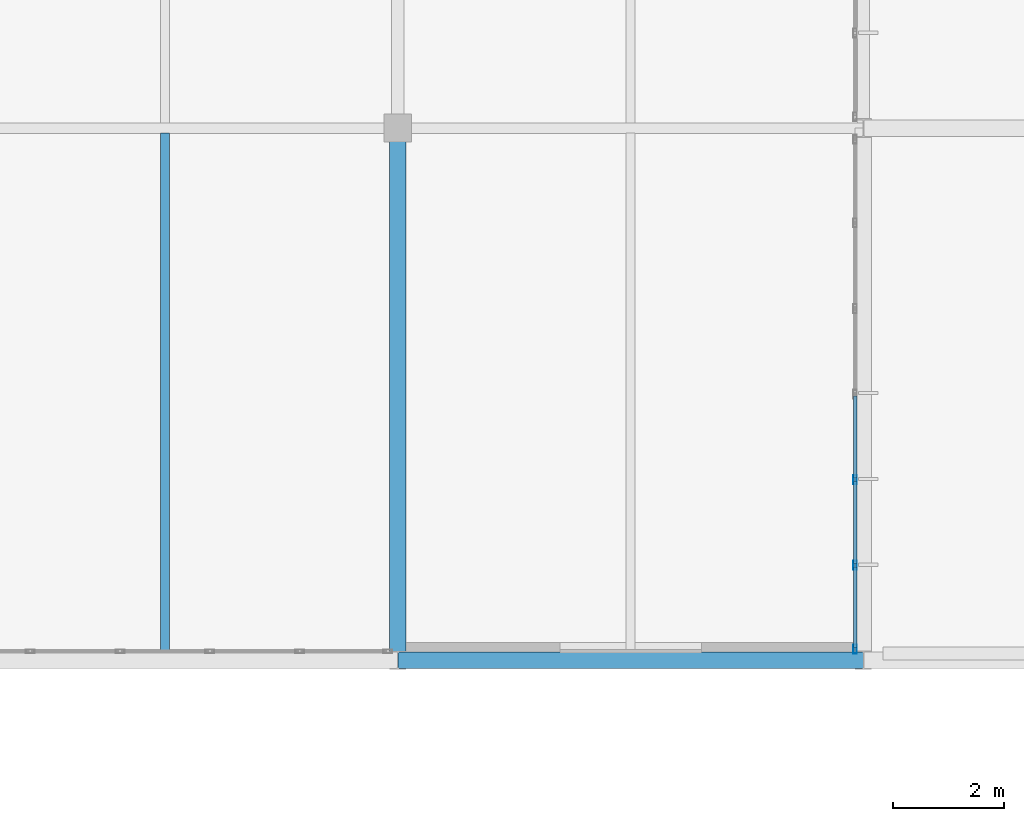
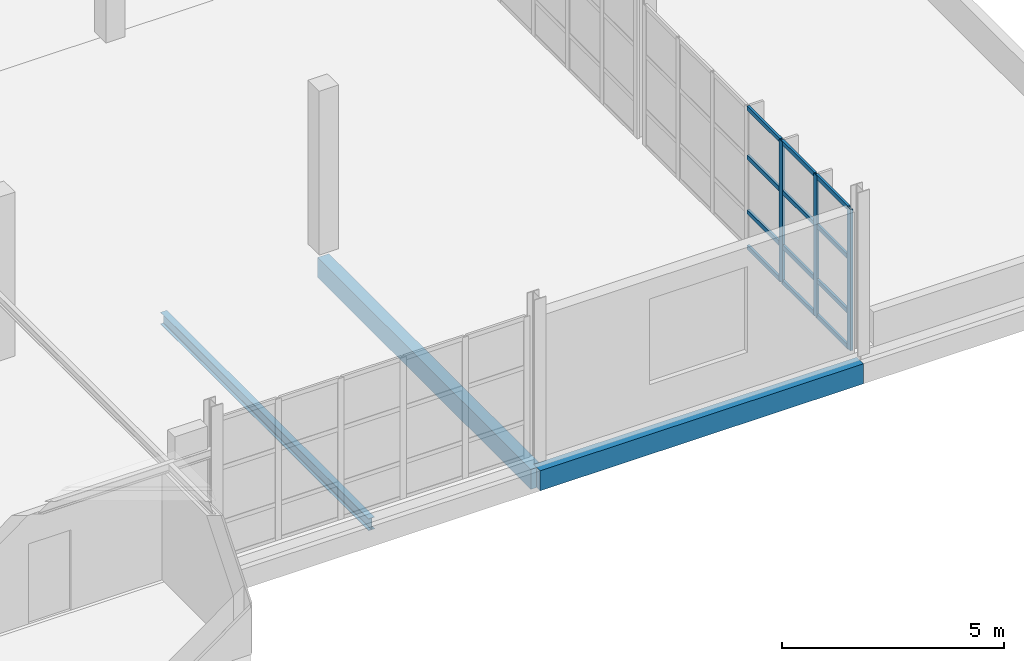
# One storey, part 70 of 103: 15 members, 3 beams, 1 element without a shape of its own.
"""IFC4 building model written with IfcOpenShell, lengths in metres."""

from ifc_helpers import new_model, si_unit, direction, frame, origin, origin_2d, place, context, subcontext, project, spatial, rectangle, hollow_rectangle, i_section, extrude, material, material_profile, profile_set, type_object, element, aggregate, save


model = new_model("IFC4")

# Units and contexts
model_context = context("Model", 3, precision=1e-05, world=origin(), true_north=direction((0.0, 1.0)))
body_context = subcontext(model_context, "Body", "Model", "MODEL_VIEW")
ifc_project = project(units=[si_unit("LENGTHUNIT", "METRE"), si_unit("AREAUNIT", "SQUARE_METRE"), si_unit("VOLUMEUNIT", "CUBIC_METRE"), si_unit("PLANEANGLEUNIT", "RADIAN"), si_unit("MASSUNIT", "GRAM", prefix="KILO")], contexts=[model_context])

# Site, building, storey
site_placement = place(None, origin())
site = spatial("IfcSite", under=ifc_project, at=site_placement, CompositionType="ELEMENT")
building_placement = place(site_placement, origin())
building = spatial("IfcBuilding", under=site, at=building_placement, Name="Veltarok Museum of Natural Sciences", CompositionType="ELEMENT")
storey_placement = place(building_placement, frame((0.0, 0.0, 21.89990234375)))
storey = spatial("IfcBuildingStorey", under=building, at=storey_placement, Name="L04", CompositionType="ELEMENT", Elevation=21.89990234375)

# Curtain wall, members
ifc_material_1 = material(Name="Low-iron triple insulated glass", Category="glass")
curtain_wall_type = type_object("IfcCurtainWallType", Name="Curtain Wall System CW-V5E-L04-A-926x388 (V5 East Lab L04 A-B 926x388cm)", PredefinedType="NOTDEFINED", material=ifc_material_1)
curtain_wall_placement = place(storey_placement, origin())
curtain_wall = element("IfcCurtainWall", 1, at=curtain_wall_placement, inside=storey, type_object=curtain_wall_type, Name="Curtain Wall CW-V5E-L04-A-926x388 CW-0120", PredefinedType="NOTDEFINED")
ifc_material_2 = material(Name="Thermally broken anodised aluminium", Category="aluminium")
ifc_material_profile_1 = material_profile(ifc_material_2, hollow_rectangle(XDim=0.06005859375, YDim=0.1201171875, WallThickness=0.0048828125, at=origin_2d()), Name="CW TRANSOM 60x120x5")
ifc_profile_set_1 = profile_set([ifc_material_profile_1], Name="Thermally broken anodised aluminium")
member_type_1 = type_object("IfcMemberType", Name="Curtain Wall Horizontal Transom 60x120x5", PredefinedType="USERDEFINED", material=ifc_profile_set_1)
member_1_placement = place(storey_placement, frame((149.050048828125, 0.22998046875, 0.030029296875), z_axis=(0.0, 1.0, 0.0), x_axis=(-1.0, 0.0, 0.0)))
member_1 = element("IfcMember", 2, at=member_1_placement, type_object=member_type_1, Name="CW-V5E-L04-A-926x388 transom 1.1", ObjectType="TRANSOM", PredefinedType="USERDEFINED", context=body_context, shape_type="SweptSolid", body=[
    extrude(hollow_rectangle(XDim=0.06005859375, YDim=0.1201171875, WallThickness=0.0048828125, at=origin_2d()), origin(), (0.0, 0.0, 1.0), 1.453369140625),
])
member_2_placement = place(storey_placement, frame((149.050048828125, 0.22998046875, 1.0), z_axis=(0.0, 1.0, 0.0), x_axis=(-1.0, 0.0, 0.0)))
member_2 = element("IfcMember", 3, at=member_2_placement, type_object=member_type_1, Name="CW-V5E-L04-A-926x388 transom 1.2", ObjectType="TRANSOM", PredefinedType="USERDEFINED", context=body_context, shape_type="SweptSolid", body=[
    extrude(hollow_rectangle(XDim=0.06005859375, YDim=0.1201171875, WallThickness=0.0048828125, at=origin_2d()), origin(), (0.0, 0.0, 1.0), 1.453369140625),
])
member_3_placement = place(storey_placement, frame((149.050048828125, 0.22998046875, 2.5), z_axis=(0.0, 1.0, 0.0), x_axis=(-1.0, 0.0, 0.0)))
member_3 = element("IfcMember", 4, at=member_3_placement, type_object=member_type_1, Name="CW-V5E-L04-A-926x388 transom 1.3", ObjectType="TRANSOM", PredefinedType="USERDEFINED", context=body_context, shape_type="SweptSolid", body=[
    extrude(hollow_rectangle(XDim=0.06005859375, YDim=0.1201171875, WallThickness=0.0048828125, at=origin_2d()), origin(), (0.0, 0.0, 1.0), 1.453369140625),
])
member_4_placement = place(storey_placement, frame((149.050048828125, 0.22998046875, 3.85009765625), z_axis=(0.0, 1.0, 0.0), x_axis=(-1.0, 0.0, 0.0)))
member_4 = element("IfcMember", 5, at=member_4_placement, type_object=member_type_1, Name="CW-V5E-L04-A-926x388 transom 1.4", ObjectType="TRANSOM", PredefinedType="USERDEFINED", context=body_context, shape_type="SweptSolid", body=[
    extrude(hollow_rectangle(XDim=0.06005859375, YDim=0.1201171875, WallThickness=0.0048828125, at=origin_2d()), origin(), (0.0, 0.0, 1.0), 1.453369140625),
])
member_5_placement = place(storey_placement, frame((149.050048828125, 1.743408203125, 0.030029296875), z_axis=(0.0, 1.0, 0.0), x_axis=(-1.0, 0.0, 0.0)))
member_5 = element("IfcMember", 6, at=member_5_placement, type_object=member_type_1, Name="CW-V5E-L04-A-926x388 transom 2.1", ObjectType="TRANSOM", PredefinedType="USERDEFINED", context=body_context, shape_type="SweptSolid", body=[
    extrude(hollow_rectangle(XDim=0.06005859375, YDim=0.1201171875, WallThickness=0.0048828125, at=origin_2d()), origin(), (0.0, 0.0, 1.0), 1.483154296875),
])
member_6_placement = place(storey_placement, frame((149.050048828125, 1.743408203125, 1.0), z_axis=(0.0, 1.0, 0.0), x_axis=(-1.0, 0.0, 0.0)))
member_6 = element("IfcMember", 7, at=member_6_placement, type_object=member_type_1, Name="CW-V5E-L04-A-926x388 transom 2.2", ObjectType="TRANSOM", PredefinedType="USERDEFINED", context=body_context, shape_type="SweptSolid", body=[
    extrude(hollow_rectangle(XDim=0.06005859375, YDim=0.1201171875, WallThickness=0.0048828125, at=origin_2d()), origin(), (0.0, 0.0, 1.0), 1.483154296875),
])
member_7_placement = place(storey_placement, frame((149.050048828125, 1.743408203125, 2.5), z_axis=(0.0, 1.0, 0.0), x_axis=(-1.0, 0.0, 0.0)))
member_7 = element("IfcMember", 8, at=member_7_placement, type_object=member_type_1, Name="CW-V5E-L04-A-926x388 transom 2.3", ObjectType="TRANSOM", PredefinedType="USERDEFINED", context=body_context, shape_type="SweptSolid", body=[
    extrude(hollow_rectangle(XDim=0.06005859375, YDim=0.1201171875, WallThickness=0.0048828125, at=origin_2d()), origin(), (0.0, 0.0, 1.0), 1.483154296875),
])
member_8_placement = place(storey_placement, frame((149.050048828125, 1.743408203125, 3.85009765625), z_axis=(0.0, 1.0, 0.0), x_axis=(-1.0, 0.0, 0.0)))
member_8 = element("IfcMember", 9, at=member_8_placement, type_object=member_type_1, Name="CW-V5E-L04-A-926x388 transom 2.4", ObjectType="TRANSOM", PredefinedType="USERDEFINED", context=body_context, shape_type="SweptSolid", body=[
    extrude(hollow_rectangle(XDim=0.06005859375, YDim=0.1201171875, WallThickness=0.0048828125, at=origin_2d()), origin(), (0.0, 0.0, 1.0), 1.483154296875),
])
member_9_placement = place(storey_placement, frame((149.050048828125, 3.28662109375, 0.030029296875), z_axis=(0.0, 1.0, 0.0), x_axis=(-1.0, 0.0, 0.0)))
member_9 = element("IfcMember", 10, at=member_9_placement, type_object=member_type_1, Name="CW-V5E-L04-A-926x388 transom 3.1", ObjectType="TRANSOM", PredefinedType="USERDEFINED", context=body_context, shape_type="SweptSolid", body=[
    extrude(hollow_rectangle(XDim=0.06005859375, YDim=0.1201171875, WallThickness=0.0048828125, at=origin_2d()), origin(), (0.0, 0.0, 1.0), 1.4833984375),
])
member_10_placement = place(storey_placement, frame((149.050048828125, 3.28662109375, 1.0), z_axis=(0.0, 1.0, 0.0), x_axis=(-1.0, 0.0, 0.0)))
member_10 = element("IfcMember", 11, at=member_10_placement, type_object=member_type_1, Name="CW-V5E-L04-A-926x388 transom 3.2", ObjectType="TRANSOM", PredefinedType="USERDEFINED", context=body_context, shape_type="SweptSolid", body=[
    extrude(hollow_rectangle(XDim=0.06005859375, YDim=0.1201171875, WallThickness=0.0048828125, at=origin_2d()), origin(), (0.0, 0.0, 1.0), 1.4833984375),
])
member_11_placement = place(storey_placement, frame((149.050048828125, 3.28662109375, 2.5), z_axis=(0.0, 1.0, 0.0), x_axis=(-1.0, 0.0, 0.0)))
member_11 = element("IfcMember", 12, at=member_11_placement, type_object=member_type_1, Name="CW-V5E-L04-A-926x388 transom 3.3", ObjectType="TRANSOM", PredefinedType="USERDEFINED", context=body_context, shape_type="SweptSolid", body=[
    extrude(hollow_rectangle(XDim=0.06005859375, YDim=0.1201171875, WallThickness=0.0048828125, at=origin_2d()), origin(), (0.0, 0.0, 1.0), 1.4833984375),
])
member_12_placement = place(storey_placement, frame((149.050048828125, 3.28662109375, 3.85009765625), z_axis=(0.0, 1.0, 0.0), x_axis=(-1.0, 0.0, 0.0)))
member_12 = element("IfcMember", 13, at=member_12_placement, type_object=member_type_1, Name="CW-V5E-L04-A-926x388 transom 3.4", ObjectType="TRANSOM", PredefinedType="USERDEFINED", context=body_context, shape_type="SweptSolid", body=[
    extrude(hollow_rectangle(XDim=0.06005859375, YDim=0.1201171875, WallThickness=0.0048828125, at=origin_2d()), origin(), (0.0, 0.0, 1.0), 1.4833984375),
])
ifc_material_profile_2 = material_profile(ifc_material_2, hollow_rectangle(XDim=0.06005859375, YDim=0.159912109375, WallThickness=0.0048828125, at=origin_2d()), Name="CW MULLION 60x160x5")
ifc_profile_set_2 = profile_set([ifc_material_profile_2], Name="Thermally broken anodised aluminium")
member_type_2 = type_object("IfcMemberType", Name="Curtain Wall Vertical Mullion 60x160x5", PredefinedType="MULLION", material=ifc_profile_set_2)
member_13_placement = place(storey_placement, frame((149.050048828125, 0.199951171875, 0.0), z_axis=(0.0, 0.0, 1.0), x_axis=(-1.0, 0.0, 0.0)))
member_13 = element("IfcMember", 14, at=member_13_placement, type_object=member_type_2, Name="CW-V5E-L04-A-926x388 mullion 1", PredefinedType="MULLION", context=body_context, shape_type="SweptSolid", body=[
    extrude(hollow_rectangle(XDim=0.06005859375, YDim=0.159912109375, WallThickness=0.0048828125, at=origin_2d()), origin(), (0.0, 0.0, 1.0), 3.880126953125),
])
member_14_placement = place(storey_placement, frame((149.050048828125, 1.71337890625, 0.0), z_axis=(0.0, 0.0, 1.0), x_axis=(-1.0, 0.0, 0.0)))
member_14 = element("IfcMember", 15, at=member_14_placement, type_object=member_type_2, Name="CW-V5E-L04-A-926x388 mullion 2", PredefinedType="MULLION", context=body_context, shape_type="SweptSolid", body=[
    extrude(hollow_rectangle(XDim=0.06005859375, YDim=0.159912109375, WallThickness=0.0048828125, at=origin_2d()), origin(), (0.0, 0.0, 1.0), 3.880126953125),
])
member_15_placement = place(storey_placement, frame((149.050048828125, 3.256591796875, 0.0), z_axis=(0.0, 0.0, 1.0), x_axis=(-1.0, 0.0, 0.0)))
member_15 = element("IfcMember", 16, at=member_15_placement, type_object=member_type_2, Name="CW-V5E-L04-A-926x388 mullion 3", PredefinedType="MULLION", context=body_context, shape_type="SweptSolid", body=[
    extrude(hollow_rectangle(XDim=0.06005859375, YDim=0.159912109375, WallThickness=0.0048828125, at=origin_2d()), origin(), (0.0, 0.0, 1.0), 3.880126953125),
])
aggregate(curtain_wall, [member_13, member_14, member_15, member_1, member_2, member_3, member_4, member_5, member_6, member_7, member_8, member_9, member_10, member_11, member_12])

# Beams
ifc_material_3 = material(Name="Precast concrete C40/50", Category="concrete")
ifc_material_profile_3 = material_profile(ifc_material_3, rectangle(XDim=0.300048828125, YDim=0.550048828125, at=origin_2d()), Name="RC 300x550")
ifc_profile_set_3 = profile_set([ifc_material_profile_3], Name="Precast concrete C40/50")
beam_type_1 = type_object("IfcBeamType", Name="East Wing Precast Spandrel RC 300x550", PredefinedType="SPANDREL", material=ifc_profile_set_3)
beam_1_placement = place(storey_placement, frame((140.800048828125, 0.0, -0.52490234375), z_axis=(1.0, 0.0, 0.0), x_axis=(0.0, 1.0, 0.0)))
element("IfcBeam", 17, at=beam_1_placement, inside=storey, type_object=beam_type_1, Name="Beam BM-SP02 L04 17-18/A", PredefinedType="SPANDREL", context=body_context, shape_type="SweptSolid", body=[
    extrude(rectangle(XDim=0.300048828125, YDim=0.550048828125, at=origin_2d()), origin(), (0.0, 0.0, 1.0), 8.39990234375),
])
beam_2_placement = place(storey_placement, frame((140.800048828125, 0.0, -0.52490234375), z_axis=(0.0, 1.0, 0.0), x_axis=(-1.0, 0.0, 0.0)))
element("IfcBeam", 18, at=beam_2_placement, inside=storey, type_object=beam_type_1, Name="Beam BM-SP02 L04 17/A-B", PredefinedType="SPANDREL", context=body_context, shape_type="SweptSolid", body=[
    extrude(rectangle(XDim=0.300048828125, YDim=0.550048828125, at=origin_2d()), origin(), (0.0, 0.0, 1.0), 9.60009765625),
])
ifc_material_4 = material(Name="Steel S355J2", Category="steel")
ifc_material_profile_4 = material_profile(ifc_material_4, i_section(OverallWidth=0.159912109375, OverallDepth=0.330078125, WebThickness=0.007568359375, FlangeThickness=0.011474609375, FilletRadius=0.01806640625, at=origin_2d()), Name="IPE 330")
ifc_profile_set_4 = profile_set([ifc_material_profile_4], Name="Steel S355J2")
beam_type_2 = type_object("IfcBeamType", Name="Medium-Bay Composite Joist IPE 330", PredefinedType="JOIST", material=ifc_profile_set_4)
beam_3_placement = place(storey_placement, frame((136.60009765625, 0.14794921875, -0.414794921875), z_axis=(0.0, 1.0, 0.0), x_axis=(-1.0, 0.0, 0.0)))
element("IfcBeam", 19, at=beam_3_placement, inside=storey, type_object=beam_type_2, Name="Secondary Joist BM-J02 L04 16-17/A-B.1", PredefinedType="JOIST", context=body_context, shape_type="SweptSolid", body=[
    extrude(i_section(OverallWidth=0.159912109375, OverallDepth=0.330078125, WebThickness=0.007568359375, FlangeThickness=0.011474609375, FilletRadius=0.01806640625, at=origin_2d()), origin(), (0.0, 0.0, 1.0), 9.359130859375),
])

save(model, "model.ifc")
